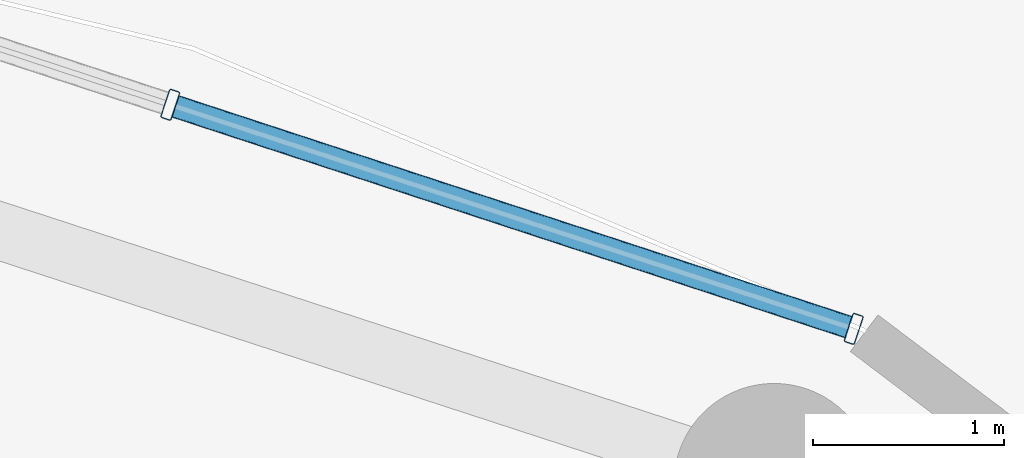
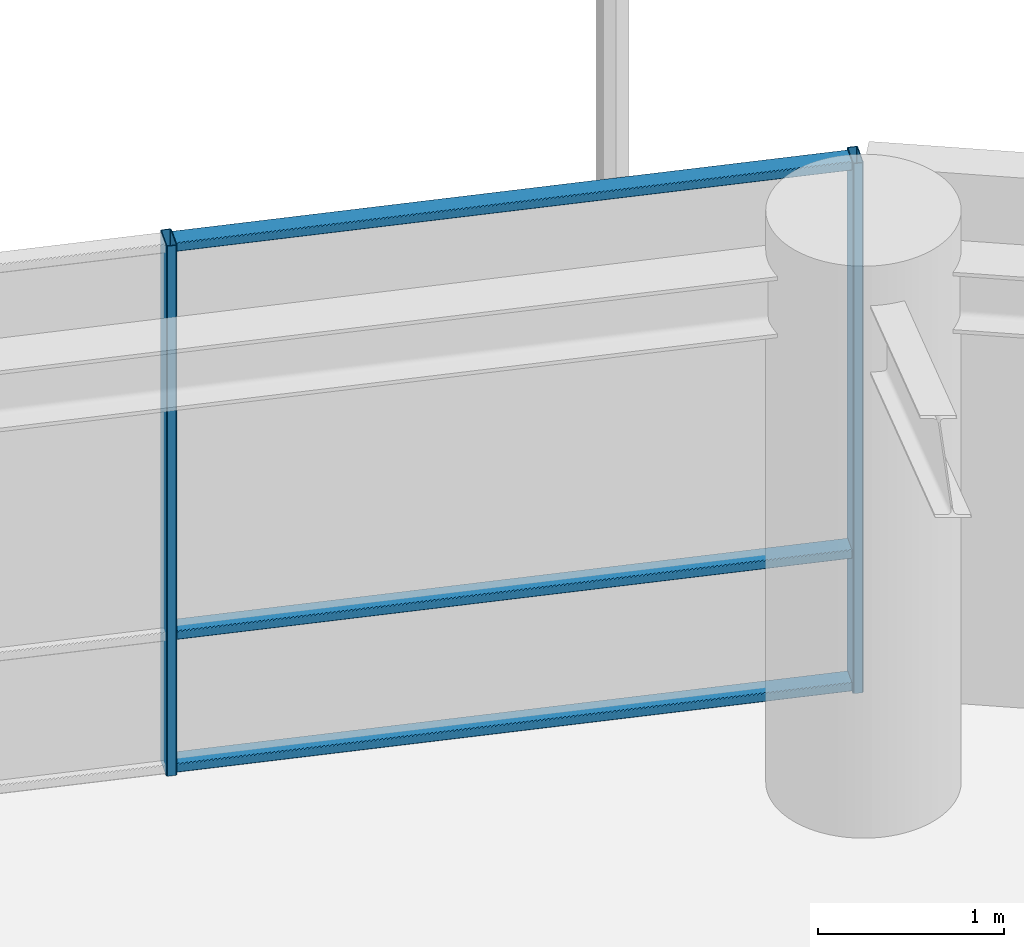
# One storey, part 22 of 31: 5 members, 1 element without a shape of its own.
"""IFC4 building model written with IfcOpenShell, lengths in metres."""

from ifc_helpers import new_model, si_unit, direction, frame, origin, origin_2d, place, context, subcontext, project, spatial, hollow_rectangle, extrude, material, layer, layer_set, material_profile, profile_set, type_object, element, aggregate, save


model = new_model("IFC4")

# Units and contexts
model_context = context("Model", 3, precision=1e-05, world=origin(), true_north=direction((0.0, 1.0)))
body_context = subcontext(model_context, "Body", "Model", "MODEL_VIEW")
ifc_project = project(units=[si_unit("LENGTHUNIT", "METRE"), si_unit("AREAUNIT", "SQUARE_METRE"), si_unit("VOLUMEUNIT", "CUBIC_METRE"), si_unit("PLANEANGLEUNIT", "RADIAN"), si_unit("MASSUNIT", "GRAM", prefix="KILO")], contexts=[model_context])

# Site, building, storey
site_placement = place(None, origin())
site = spatial("IfcSite", under=ifc_project, at=site_placement, CompositionType="ELEMENT")
building_placement = place(site_placement, origin())
building = spatial("IfcBuilding", under=site, at=building_placement, Name="Kelanora Arch Commons", CompositionType="ELEMENT")
storey_placement = place(building_placement, frame((0.0, 0.0, 200.699951171875)))
storey = spatial("IfcBuildingStorey", under=building, at=storey_placement, Name="L51", CompositionType="ELEMENT", Elevation=200.699951171875)

# Curtain wall, members
ifc_material_1 = material(Name="Terracotta ceramic-fritted low-E glass and aluminium", Category="masonry")
ifc_layer = layer(ifc_material_1, 0.175048828125)
ifc_layer_set = layer_set([ifc_layer], Name="Terracotta ceramic-fritted low-E glass and aluminium")
curtain_wall_type = type_object("IfcCurtainWallType", Name="CW-SYS-02", PredefinedType="NOTDEFINED", material=ifc_layer_set)
curtain_wall_placement = place(storey_placement, origin())
curtain_wall = element("IfcCurtainWall", 1, at=curtain_wall_placement, inside=storey, type_object=curtain_wall_type, Name="Unitised Curtain Wall L51-B03", PredefinedType="NOTDEFINED")
ifc_material_2 = material(Name="Powder-coated aluminium terracotta", Category="masonry")
ifc_material_profile_1 = material_profile(ifc_material_2, hollow_rectangle(XDim=0.159912109375, YDim=0.06005859375, WallThickness=0.0048828125, InnerFilletRadius=0.0048828125, OuterFilletRadius=0.010009765625, at=origin_2d()), Name="CWM160x60")
ifc_profile_set_1 = profile_set([ifc_material_profile_1], Name="Powder-coated aluminium terracotta")
member_type_1 = type_object("IfcMemberType", Name="CWM-STD", PredefinedType="MULLION", material=ifc_profile_set_1)
member_1_placement = place(storey_placement, frame((85.05712890625, 75.33447265625, 0.0), z_axis=(0.0, 0.0, 1.0), x_axis=(-0.311582439059, -0.950219124029, 0.0)))
member_1 = element("IfcMember", 2, at=member_1_placement, type_object=member_type_1, Name="CW-02 mullion 1", PredefinedType="MULLION", context=body_context, shape_type="SweptSolid", body=[
    extrude(hollow_rectangle(XDim=0.159912109375, YDim=0.06005859375, WallThickness=0.0048828125, InnerFilletRadius=0.0048828125, OuterFilletRadius=0.010009765625, at=origin_2d()), origin(), (0.0, 0.0, 1.0), 3.47509765625),
])
member_2_placement = place(storey_placement, frame((81.4775390625, 76.50830078125, 0.0), z_axis=(0.0, 0.0, 1.0), x_axis=(-0.311582439059, -0.950219124029, 0.0)))
member_2 = element("IfcMember", 3, at=member_2_placement, type_object=member_type_1, Name="CW-02 mullion 2", PredefinedType="MULLION", context=body_context, shape_type="SweptSolid", body=[
    extrude(hollow_rectangle(XDim=0.159912109375, YDim=0.06005859375, WallThickness=0.0048828125, InnerFilletRadius=0.0048828125, OuterFilletRadius=0.010009765625, at=origin_2d()), origin(), (0.0, 0.0, 1.0), 3.47509765625),
])
ifc_material_profile_2 = material_profile(ifc_material_2, hollow_rectangle(XDim=0.1201171875, YDim=0.06005859375, WallThickness=0.0048828125, InnerFilletRadius=0.0048828125, OuterFilletRadius=0.010009765625, at=origin_2d()), Name="CWT120x60")
ifc_profile_set_2 = profile_set([ifc_material_profile_2], Name="Powder-coated aluminium terracotta")
member_type_2 = type_object("IfcMemberType", Name="CWT-STD", PredefinedType="USERDEFINED", material=ifc_profile_set_2)
member_3_placement = place(storey_placement, frame((85.02880859375, 75.343994140625, 0.030029296875), z_axis=(-0.950226025222, 0.311561392011, 0.0), x_axis=(-0.311561392011, -0.950226025222, 0.0)))
member_3 = element("IfcMember", 4, at=member_3_placement, type_object=member_type_2, Name="CW-02 transom 1.1", ObjectType="TRANSOM", PredefinedType="USERDEFINED", context=body_context, shape_type="SweptSolid", body=[
    extrude(hollow_rectangle(XDim=0.1201171875, YDim=0.06005859375, WallThickness=0.0048828125, InnerFilletRadius=0.0048828125, OuterFilletRadius=0.010009765625, at=origin_2d()), origin(), (0.0, 0.0, 1.0), 3.707275390625),
])
member_4_placement = place(storey_placement, frame((85.02880859375, 75.343994140625, 0.900146484375), z_axis=(-0.950226025222, 0.311561392011, 0.0), x_axis=(-0.311561392011, -0.950226025222, 0.0)))
member_4 = element("IfcMember", 5, at=member_4_placement, type_object=member_type_2, Name="CW-02 transom 1.2", ObjectType="TRANSOM", PredefinedType="USERDEFINED", context=body_context, shape_type="SweptSolid", body=[
    extrude(hollow_rectangle(XDim=0.1201171875, YDim=0.06005859375, WallThickness=0.0048828125, InnerFilletRadius=0.0048828125, OuterFilletRadius=0.010009765625, at=origin_2d()), origin(), (0.0, 0.0, 1.0), 3.707275390625),
])
member_5_placement = place(storey_placement, frame((85.02880859375, 75.343994140625, 3.445068359375), z_axis=(-0.950226025222, 0.311561392011, 0.0), x_axis=(-0.311561392011, -0.950226025222, 0.0)))
member_5 = element("IfcMember", 6, at=member_5_placement, type_object=member_type_2, Name="CW-02 transom 1.3", ObjectType="TRANSOM", PredefinedType="USERDEFINED", context=body_context, shape_type="SweptSolid", body=[
    extrude(hollow_rectangle(XDim=0.1201171875, YDim=0.06005859375, WallThickness=0.0048828125, InnerFilletRadius=0.0048828125, OuterFilletRadius=0.010009765625, at=origin_2d()), origin(), (0.0, 0.0, 1.0), 3.707275390625),
])
aggregate(curtain_wall, [member_1, member_2, member_3, member_4, member_5])

save(model, "model.ifc")
